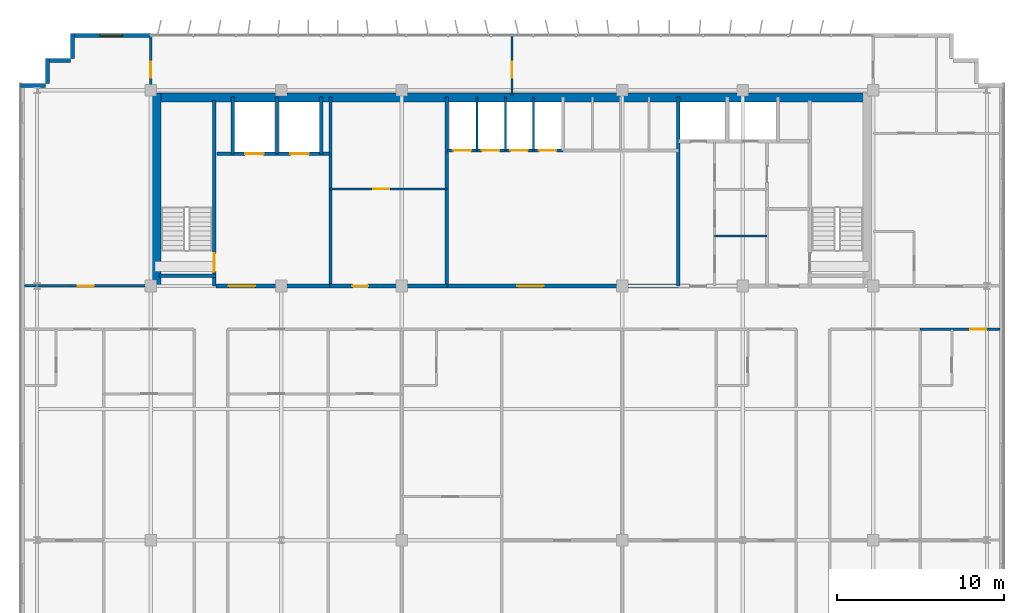
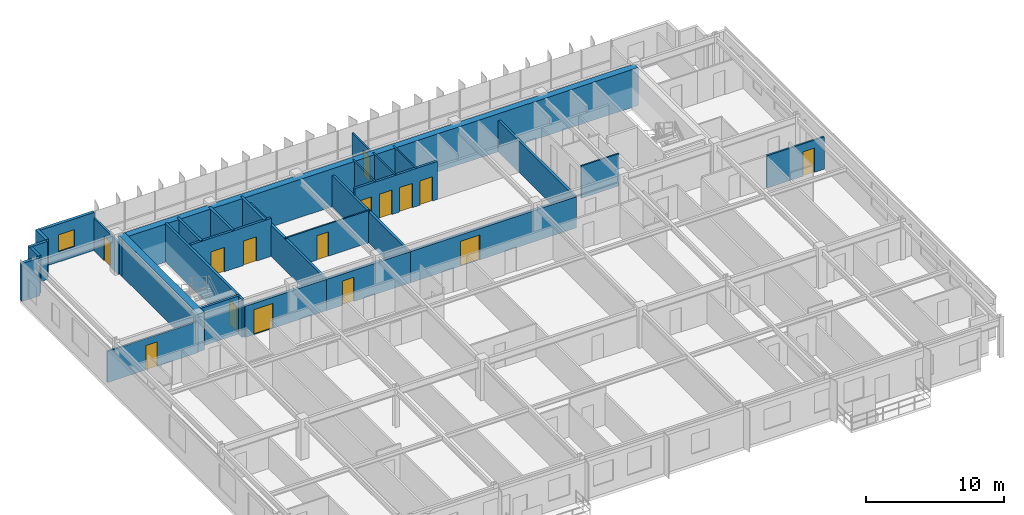
# One storey, part 17 of 21: 29 walls, 15 doors, 1 window, 16 openings.
"""IFC4 building model written with IfcOpenShell, lengths in metres."""

from ifc_helpers import new_model, si_unit, direction, frame, frame_2d, origin, place, context, subcontext, project, spatial, rectangle, extrude, source, transform, mapped, material, layer, layer_set, type_object, element, fill, save


model = new_model("IFC4")

# Units and contexts
model_context = context("Model", 3, precision=1e-05, world=origin(), true_north=direction((0.0, 1.0)))
body_context = subcontext(model_context, "Body", "Model", "MODEL_VIEW")
ifc_project = project(units=[si_unit("LENGTHUNIT", "METRE"), si_unit("AREAUNIT", "SQUARE_METRE"), si_unit("VOLUMEUNIT", "CUBIC_METRE"), si_unit("PLANEANGLEUNIT", "RADIAN"), si_unit("MASSUNIT", "GRAM", prefix="KILO")], contexts=[model_context])

# Site, building, storey
site_placement = place(None, origin())
site = spatial("IfcSite", under=ifc_project, at=site_placement, CompositionType="ELEMENT")
building_placement = place(site_placement, origin())
building = spatial("IfcBuilding", under=site, at=building_placement, Name="Trelvane Seafront Commons", CompositionType="ELEMENT")
storey_placement = place(building_placement, frame((0.0, 0.0, 157.300048828125)))
storey = spatial("IfcBuildingStorey", under=building, at=storey_placement, Name="L41", CompositionType="ELEMENT", Elevation=157.300048828125)

# Wall, opening, window
ifc_material_1 = material(Name="Precast concrete C40/50", Category="concrete")
ifc_layer_1 = layer(ifc_material_1, 0.239990234375, Name="ARCH-WALL-EXT240")
ifc_layer_set_1 = layer_set([ifc_layer_1], Name="Precast concrete C40/50")
wall_type_1 = type_object("IfcWallType", Name="ARCH-WALL-EXT240", PredefinedType="SOLIDWALL", material=ifc_layer_set_1)
wall_1_placement = place(storey_placement, frame((10.89990234375, 48.3701171875, 0.0), z_axis=(0.0, 0.0, 1.0), x_axis=(1.0, 0.0, 0.0)))
wall_1 = element("IfcWall", 1, at=wall_1_placement, inside=storey, type_object=wall_type_1, Name="EW-L41-NW-0800", PredefinedType="SOLIDWALL", context=body_context, shape_type="SweptSolid", body=[
    extrude(rectangle(XDim=4.7001953125, YDim=0.239990234375, at=frame_2d((2.35009765625, 0.0))), origin(), (0.0, 0.0, 1.0), 3.349853515625),
])
opening_1_placement = place(wall_1_placement, frame((1.675048828125, 0.0, 0.89990234375)))
opening_1 = element("IfcOpeningElement", 2, at=opening_1_placement, cuts=wall_1, Name="Opening W09", PredefinedType="OPENING", context=body_context, shape_type="SweptSolid", body=[
    extrude(rectangle(XDim=1.35009765625, YDim=1.5, at=frame_2d((0.675048828125, 0.75))), frame((0.0, 0.1298828125, 0.0), z_axis=(0.0, -1.0, 0.0), x_axis=(1.0, 0.0, 0.0)), (0.0, 0.0, 1.0), 0.260009765625),
])
ifc_material_2 = material(Name="Low-E coastal double glazing", Category="glass")
window_type = type_object("IfcWindowType", Name="ARCH-WIN-W09", PartitioningType="SINGLE_PANEL", PredefinedType="WINDOW", material=ifc_material_2)
shared_shape_1 = source(origin(), body_context, "Body", "SweptSolid", [
    extrude(rectangle(XDim=1.35009765625, YDim=1.5, at=frame_2d((0.675048828125, 0.75))), frame((0.0, 0.030029296875, 0.0), z_axis=(0.0, -1.0, 0.0), x_axis=(1.0, 0.0, 0.0)), (0.0, 0.0, 1.0), 0.06005859375),
])
window_placement = place(opening_1_placement, origin())
window = element("IfcWindow", 3, at=window_placement, inside=storey, type_object=window_type, Name="WIN-L41-00954", OverallHeight=1.5, OverallWidth=1.35009765625, PartitioningType="SINGLE_PANEL", PredefinedType="WINDOW", context=body_context, shape_type="MappedRepresentation", body=[
    mapped(shared_shape_1, transform((0.0, 0.0, 0.0), x_axis=(1.0, 0.0, 0.0), y_axis=(0.0, 1.0, 0.0), z_axis=(0.0, 0.0, 1.0), scale=1.0)),
])
fill(opening_1, window)

# Walls
for number, where, z_axis, x_axis, name in (
    (4, (7.800048828125, 45.3798828125, 0.0), (0.0, 0.0, 1.0), (1.0, 0.0, 0.0), "EW-L41-00806"),
    (5, (9.419921875, 45.5, 0.0), (0.0, 0.0, 1.0), (0.0, 1.0, 0.0), "EW-L41-00807"),
    (6, (9.300048828125, 46.8798828125, 0.0), (0.0, 0.0, 1.0), (1.0, 0.0, 0.0), "EW-L41-00808"),
    (7, (10.919921875, 47.0, 0.0), (0.0, 0.0, 1.0), (0.0, 1.0, 0.0), "EW-L41-00809"),
):
    element("IfcWall", number, at=place(storey_placement, frame(where, z_axis=z_axis, x_axis=x_axis)), inside=storey, type_object=wall_type_1, Name=name, PredefinedType="SOLIDWALL", context=body_context, shape_type="SweptSolid", body=[
        extrude(rectangle(XDim=1.5, YDim=0.239990234375, at=frame_2d((0.75, 0.0))), origin(), (0.0, 0.0, 1.0), 3.349853515625),
    ])

# Wall, opening, door
ifc_material_3 = material(Name="Concrete C40/50", Category="concrete")
ifc_layer_2 = layer(ifc_material_3, 0.25, Name="ARCH-WALL-FIRE250")
ifc_layer_set_2 = layer_set([ifc_layer_2], Name="Concrete C40/50")
wall_type_2 = type_object("IfcWallType", Name="ARCH-WALL-FIRE250", PredefinedType="PARTITIONING", material=ifc_layer_set_2)
wall_2_placement = place(storey_placement, frame((19.5, 33.39990234375, 0.0), z_axis=(0.0, 0.0, 1.0), x_axis=(1.0, 0.0, 0.0)))
wall_2 = element("IfcWall", 8, at=wall_2_placement, inside=storey, type_object=wall_type_2, Name="W-L41-CS-FFL-013", PredefinedType="PARTITIONING", context=body_context, shape_type="SweptSolid", body=[
    extrude(rectangle(XDim=6.800048828125, YDim=0.25, at=frame_2d((3.39990234375, 0.0))), origin(), (0.0, 0.0, 1.0), 2.75),
])
opening_2_placement = place(wall_2_placement, frame((0.75, 0.0, 0.0)))
opening_2 = element("IfcOpeningElement", 9, at=opening_2_placement, cuts=wall_2, Name="Opening FD-L41-05", PredefinedType="OPENING", context=body_context, shape_type="SweptSolid", body=[
    extrude(rectangle(XDim=1.60009765625, YDim=2.199951171875, at=frame_2d((0.800048828125, 1.10009765625))), frame((0.0, 0.135009765625, 0.0), z_axis=(0.0, -1.0, 0.0), x_axis=(1.0, 0.0, 0.0)), (0.0, 0.0, 1.0), 0.27001953125),
])
ifc_material_4 = material(Name="Powder-coated aluminium frame", Category="aluminium")
door_type_1 = type_object("IfcDoorType", Name="ARCH-DR-FD60-1600", OperationType="DOUBLE_DOOR_SINGLE_SWING", PredefinedType="DOOR", material=ifc_material_4)
shared_shape_2 = source(origin(), body_context, "Body", "SweptSolid", [
    extrude(rectangle(XDim=1.60009765625, YDim=2.199951171875, at=frame_2d((0.800048828125, 1.10009765625))), frame((0.0, 0.02490234375, 0.0), z_axis=(0.0, -1.0, 0.0), x_axis=(1.0, 0.0, 0.0)), (0.0, 0.0, 1.0), 0.050048828125),
])
door_1_placement = place(opening_2_placement, origin())
door_1 = element("IfcDoor", 10, at=door_1_placement, inside=storey, type_object=door_type_1, Name="L41 Firefighting Lift Lobby Double Fire Door", OperationType="DOUBLE_DOOR_SINGLE_SWING", OverallHeight=2.199951171875, OverallWidth=1.60009765625, PredefinedType="DOOR", context=body_context, shape_type="MappedRepresentation", body=[
    mapped(shared_shape_2, transform((0.0, 0.0, 0.0), x_axis=(1.0, 0.0, 0.0), y_axis=(0.0, 1.0, 0.0), z_axis=(0.0, 0.0, 1.0), scale=1.0)),
])
fill(opening_2, door_1)

wall_3_placement = place(storey_placement, frame((26.300048828125, 33.39990234375, 0.0), z_axis=(0.0, 0.0, 1.0), x_axis=(1.0, 0.0, 0.0)))
wall_3 = element("IfcWall", 11, at=wall_3_placement, inside=storey, type_object=wall_type_2, Name="W-L41-CS-FPL-026", PredefinedType="PARTITIONING", context=body_context, shape_type="SweptSolid", body=[
    extrude(rectangle(XDim=7.0, YDim=0.25, at=frame_2d((3.5, 0.0))), origin(), (0.0, 0.0, 1.0), 2.75),
])
opening_3_placement = place(wall_3_placement, frame((1.35009765625, 0.0, 0.0)))
opening_3 = element("IfcOpeningElement", 12, at=opening_3_placement, cuts=wall_3, Name="Opening D-L41-11", PredefinedType="OPENING", context=body_context, shape_type="SweptSolid", body=[
    extrude(rectangle(XDim=0.949951171875, YDim=2.14990234375, at=frame_2d((0.47509765625, 1.074951171875))), frame((0.0, 0.135009765625, 0.0), z_axis=(0.0, -1.0, 0.0), x_axis=(1.0, 0.0, 0.0)), (0.0, 0.0, 1.0), 0.27001953125),
])
ifc_material_5 = material(Name="Acoustic timber door leaf", Category="wood")
door_type_2 = type_object("IfcDoorType", Name="ARCH-DR-INT950", OperationType="NOTDEFINED", PredefinedType="DOOR", material=ifc_material_5)
shared_shape_3 = source(origin(), body_context, "Body", "SweptSolid", [
    extrude(rectangle(XDim=0.949951171875, YDim=2.14990234375, at=frame_2d((0.47509765625, 1.074951171875))), frame((0.0, 0.02490234375, 0.0), z_axis=(0.0, -1.0, 0.0), x_axis=(1.0, 0.0, 0.0)), (0.0, 0.0, 1.0), 0.050048828125),
])
door_2_placement = place(opening_3_placement, origin())
door_2 = element("IfcDoor", 13, at=door_2_placement, inside=storey, type_object=door_type_2, Name="L41 Floor Pantry Entrance Door", OperationType="SINGLE_SWING_LEFT", OverallHeight=2.14990234375, OverallWidth=0.949951171875, PredefinedType="DOOR", context=body_context, shape_type="MappedRepresentation", body=[
    mapped(shared_shape_3, transform((0.0, 0.0, 0.0), x_axis=(1.0, 0.0, 0.0), y_axis=(0.0, 1.0, 0.0), z_axis=(0.0, 0.0, 1.0), scale=1.0)),
])
fill(opening_3, door_2)

wall_4_placement = place(storey_placement, frame((33.300048828125, 33.39990234375, 0.0), z_axis=(0.0, 0.0, 1.0), x_axis=(1.0, 0.0, 0.0)))
wall_4 = element("IfcWall", 14, at=wall_4_placement, inside=storey, type_object=wall_type_2, Name="W-L41-CS-PAX-027", PredefinedType="PARTITIONING", context=body_context, shape_type="SweptSolid", body=[
    extrude(rectangle(XDim=13.849853515625, YDim=0.25, at=frame_2d((6.9248046875, 0.0))), origin(), (0.0, 0.0, 1.0), 2.75),
])
opening_4_placement = place(wall_4_placement, frame((4.199951171875, 0.0, 0.0)))
opening_4 = element("IfcOpeningElement", 15, at=opening_4_placement, cuts=wall_4, Name="Opening FD-L41-12", PredefinedType="OPENING", context=body_context, shape_type="SweptSolid", body=[
    extrude(rectangle(XDim=1.60009765625, YDim=2.199951171875, at=frame_2d((0.800048828125, 1.10009765625))), frame((0.0, 0.135009765625, 0.0), z_axis=(0.0, -1.0, 0.0), x_axis=(1.0, 0.0, 0.0)), (0.0, 0.0, 1.0), 0.27001953125),
])
door_3_placement = place(opening_4_placement, origin())
door_3 = element("IfcDoor", 16, at=door_3_placement, inside=storey, type_object=door_type_1, Name="L41 Passenger Lift Lobby Double Door", OperationType="DOUBLE_DOOR_SINGLE_SWING", OverallHeight=2.199951171875, OverallWidth=1.60009765625, PredefinedType="DOOR", context=body_context, shape_type="MappedRepresentation", body=[
    mapped(shared_shape_2, transform((0.0, 0.0, 0.0), x_axis=(1.0, 0.0, 0.0), y_axis=(0.0, 1.0, 0.0), z_axis=(0.0, 0.0, 1.0), scale=1.0)),
])
fill(opening_4, door_3)

ifc_material_6 = material(Name="Gypsum Drywall Acoustic Partition")
ifc_layer_3 = layer(ifc_material_6, 0.1201171875, Name="ARCH-WALL-PART120")
ifc_layer_set_3 = layer_set([ifc_layer_3], Name="Gypsum Drywall Acoustic Partition")
wall_type_3 = type_object("IfcWallType", Name="ARCH-WALL-PART120", PredefinedType="PARTITIONING", material=ifc_layer_set_3)
wall_5_placement = place(storey_placement, frame((26.300048828125, 39.199951171875, 0.0), z_axis=(0.0, 0.0, 1.0), x_axis=(1.0, 0.0, 0.0)))
wall_5 = element("IfcWall", 17, at=wall_5_placement, inside=storey, type_object=wall_type_3, Name="W-L41-FREED-PL-MID-014", PredefinedType="PARTITIONING", context=body_context, shape_type="SweptSolid", body=[
    extrude(rectangle(XDim=7.0, YDim=0.1201171875, at=frame_2d((3.5, 0.0))), origin(), (0.0, 0.0, 1.0), 2.849853515625),
])
opening_5_placement = place(wall_5_placement, frame((2.60009765625, 0.0, 0.0)))
opening_5 = element("IfcOpeningElement", 18, at=opening_5_placement, cuts=wall_5, Name="Opening D-L41-06", PredefinedType="OPENING", context=body_context, shape_type="SweptSolid", body=[
    extrude(rectangle(XDim=0.949951171875, YDim=2.14990234375, at=frame_2d((0.47509765625, 1.074951171875))), frame((0.0, 0.070068359375, 0.0), z_axis=(0.0, -1.0, 0.0), x_axis=(1.0, 0.0, 0.0)), (0.0, 0.0, 1.0), 0.14013671875),
])
door_4_placement = place(opening_5_placement, origin())
door_4 = element("IfcDoor", 19, at=door_4_placement, inside=storey, type_object=door_type_2, Name="L41 Housekeeping Store Door", OperationType="SINGLE_SWING_RIGHT", OverallHeight=2.14990234375, OverallWidth=0.949951171875, PredefinedType="DOOR", context=body_context, shape_type="MappedRepresentation", body=[
    mapped(shared_shape_3, transform((0.0, 0.0, 0.0), x_axis=(1.0, 0.0, 0.0), y_axis=(0.0, 1.0, 0.0), z_axis=(0.0, 0.0, 1.0), scale=1.0)),
])
fill(opening_5, door_4)

# Walls
for number, where, z_axis, x_axis, name in (
    (20, (35.10009765625, 41.5, 0.0), (0.0, 0.0, 1.0), (0.0, 1.0, 0.0), "W-L41-PM-DIV1-017"),
    (21, (36.800048828125, 41.5, 0.0), (0.0, 0.0, 1.0), (0.0, 1.0, 0.0), "W-L41-PM-DIV2-018"),
    (22, (38.5, 41.5, 0.0), (0.0, 0.0, 1.0), (0.0, 1.0, 0.0), "W-L41-PM-DIV3-019"),
):
    element("IfcWall", number, at=place(storey_placement, frame(where, z_axis=z_axis, x_axis=x_axis)), inside=storey, type_object=wall_type_3, Name=name, PredefinedType="PARTITIONING", context=body_context, shape_type="SweptSolid", body=[
        extrude(rectangle(XDim=3.199951171875, YDim=0.1201171875, at=frame_2d((1.60009765625, 0.0))), origin(), (0.0, 0.0, 1.0), 3.349853515625),
    ])
wall_6_placement = place(storey_placement, frame((49.320068359375, 36.3798828125, 0.0), z_axis=(0.0, 0.0, 1.0), x_axis=(1.0, 0.0, 0.0)))
element("IfcWall", 23, at=wall_6_placement, inside=storey, type_object=wall_type_3, Name="W-L41-CYC3-H1-034", PredefinedType="PARTITIONING", context=body_context, shape_type="SweptSolid", body=[
    extrude(rectangle(XDim=3.1298828125, YDim=0.1201171875, at=frame_2d((1.56494140625, 0.0))), origin(), (0.0, 0.0, 1.0), 2.849853515625),
])

# Wall, opening, door
wall_7_placement = place(storey_placement, frame((37.199951171875, 44.75, 0.0), z_axis=(0.0, 0.0, 1.0), x_axis=(0.0, 1.0, 0.0)))
wall_7 = element("IfcWall", 24, at=wall_7_placement, inside=storey, type_object=wall_type_3, Name="W-L41-N-MID-DV-044", PredefinedType="PARTITIONING", context=body_context, shape_type="SweptSolid", body=[
    extrude(rectangle(XDim=3.610107421875, YDim=0.1201171875, at=frame_2d((1.80517578125, 0.0))), origin(), (0.0, 0.0, 1.0), 2.75),
])
opening_6_placement = place(wall_7_placement, frame((1.10009765625, 0.0, 0.0)))
opening_6 = element("IfcOpeningElement", 25, at=opening_6_placement, cuts=wall_7, Name="Opening D-L41-26", PredefinedType="OPENING", context=body_context, shape_type="SweptSolid", body=[
    extrude(rectangle(XDim=0.949951171875, YDim=2.14990234375, at=frame_2d((0.47509765625, 1.074951171875))), frame((0.0, 0.070068359375, 0.0), z_axis=(0.0, -1.0, 0.0), x_axis=(1.0, 0.0, 0.0)), (0.0, 0.0, 1.0), 0.14013671875),
])
door_5_placement = place(opening_6_placement, origin())
door_5 = element("IfcDoor", 26, at=door_5_placement, inside=storey, type_object=door_type_2, Name="L41 Door 26", OperationType="SINGLE_SWING_RIGHT", OverallHeight=2.14990234375, OverallWidth=0.949951171875, PredefinedType="DOOR", context=body_context, shape_type="MappedRepresentation", body=[
    mapped(shared_shape_3, transform((0.0, 0.0, 0.0), x_axis=(1.0, 0.0, 0.0), y_axis=(0.0, 1.0, 0.0), z_axis=(0.0, 0.0, 1.0), scale=1.0)),
])
fill(opening_6, door_5)

ifc_layer_4 = layer(ifc_material_6, 0.14990234375, Name="ARCH-WALL-PART150")
ifc_layer_set_4 = layer_set([ifc_layer_4], Name="Gypsum Drywall Acoustic Partition")
wall_type_4 = type_object("IfcWallType", Name="ARCH-WALL-PART150", PredefinedType="PARTITIONING", material=ifc_layer_set_4)
wall_8_placement = place(storey_placement, frame((8.050048828125, 33.39990234375, 0.0), z_axis=(0.0, 0.0, 1.0), x_axis=(1.0, 0.0, 0.0)))
wall_8 = element("IfcWall", 27, at=wall_8_placement, inside=storey, type_object=wall_type_4, Name="W-L41-NW-ENT-037", PredefinedType="PARTITIONING", context=body_context, shape_type="SweptSolid", body=[
    extrude(rectangle(XDim=7.550048828125, YDim=0.14990234375, at=frame_2d((3.77490234375, 0.0))), origin(), (0.0, 0.0, 1.0), 2.75),
])
opening_7_placement = place(wall_8_placement, frame((3.199951171875, 0.0, 0.0)))
opening_7 = element("IfcOpeningElement", 28, at=opening_7_placement, cuts=wall_8, Name="Opening FD-L41-21", PredefinedType="OPENING", context=body_context, shape_type="SweptSolid", body=[
    extrude(rectangle(XDim=0.949951171875, YDim=2.14990234375, at=frame_2d((0.47509765625, 1.074951171875))), frame((0.0, 0.0849609375, 0.0), z_axis=(0.0, -1.0, 0.0), x_axis=(1.0, 0.0, 0.0)), (0.0, 0.0, 1.0), 0.169921875),
])
door_type_3 = type_object("IfcDoorType", Name="ARCH-DR-FD60-950", OperationType="NOTDEFINED", PredefinedType="DOOR", material=ifc_material_4)
door_6_placement = place(opening_7_placement, origin())
door_6 = element("IfcDoor", 29, at=door_6_placement, inside=storey, type_object=door_type_3, Name="L41 NW Suite Entrance Door", OperationType="SINGLE_SWING_LEFT", OverallHeight=2.14990234375, OverallWidth=0.949951171875, PredefinedType="DOOR", context=body_context, shape_type="MappedRepresentation", body=[
    mapped(shared_shape_3, transform((0.0, 0.0, 0.0), x_axis=(1.0, 0.0, 0.0), y_axis=(0.0, 1.0, 0.0), z_axis=(0.0, 0.0, 1.0), scale=1.0)),
])
fill(opening_7, door_6)

wall_9_placement = place(storey_placement, frame((15.60009765625, 44.75, 0.0), z_axis=(0.0, 0.0, 1.0), x_axis=(0.0, 1.0, 0.0)))
wall_9 = element("IfcWall", 30, at=wall_9_placement, inside=storey, type_object=wall_type_4, Name="W-L41-N-LINK-W-045", PredefinedType="PARTITIONING", context=body_context, shape_type="SweptSolid", body=[
    extrude(rectangle(XDim=3.610107421875, YDim=0.14990234375, at=frame_2d((1.80517578125, 0.0))), origin(), (0.0, 0.0, 1.0), 2.849853515625),
])
opening_8_placement = place(wall_9_placement, frame((1.10009765625, 0.0, 0.0)))
opening_8 = element("IfcOpeningElement", 31, at=opening_8_placement, cuts=wall_9, Name="Opening FD-L41-27", PredefinedType="OPENING", context=body_context, shape_type="SweptSolid", body=[
    extrude(rectangle(XDim=0.949951171875, YDim=2.14990234375, at=frame_2d((0.47509765625, 1.074951171875))), frame((0.0, 0.0849609375, 0.0), z_axis=(0.0, -1.0, 0.0), x_axis=(1.0, 0.0, 0.0)), (0.0, 0.0, 1.0), 0.169921875),
])
door_7_placement = place(opening_8_placement, origin())
door_7 = element("IfcDoor", 32, at=door_7_placement, inside=storey, type_object=door_type_3, Name="L41 Door 27", OperationType="SINGLE_SWING_LEFT", OverallHeight=2.14990234375, OverallWidth=0.949951171875, PredefinedType="DOOR", context=body_context, shape_type="MappedRepresentation", body=[
    mapped(shared_shape_3, transform((0.0, 0.0, 0.0), x_axis=(1.0, 0.0, 0.0), y_axis=(0.0, 1.0, 0.0), z_axis=(0.0, 0.0, 1.0), scale=1.0)),
])
fill(opening_8, door_7)

wall_10_placement = place(storey_placement, frame((61.60009765625, 30.800048828125, 0.0), z_axis=(0.0, 0.0, 1.0), x_axis=(1.0, 0.0, 0.0)))
wall_10 = element("IfcWall", 33, at=wall_10_placement, inside=storey, type_object=wall_type_4, Name="W-L41-CS-BAY-12-094", PredefinedType="PARTITIONING", context=body_context, shape_type="SweptSolid", body=[
    extrude(rectangle(XDim=4.77490234375, YDim=0.14990234375, at=frame_2d((2.387451171875, 0.0))), origin(), (0.0, 0.0, 1.0), 2.849853515625),
])
opening_9_placement = place(wall_10_placement, frame((2.993896484375, 0.0, 0.0)))
opening_9 = element("IfcOpeningElement", 34, at=opening_9_placement, cuts=wall_10, Name="Opening FD-L41-59", PredefinedType="OPENING", context=body_context, shape_type="SweptSolid", body=[
    extrude(rectangle(XDim=0.949951171875, YDim=2.14990234375, at=frame_2d((0.47509765625, 1.074951171875))), frame((0.0, 0.0849609375, 0.0), z_axis=(0.0, -1.0, 0.0), x_axis=(1.0, 0.0, 0.0)), (0.0, 0.0, 1.0), 0.169921875),
])
door_8_placement = place(opening_9_placement, origin())
door_8 = element("IfcDoor", 35, at=door_8_placement, inside=storey, type_object=door_type_3, Name="L41 Unit 12 Entrance Door", OperationType="SINGLE_SWING_LEFT", OverallHeight=2.14990234375, OverallWidth=0.949951171875, PredefinedType="DOOR", context=body_context, shape_type="MappedRepresentation", body=[
    mapped(shared_shape_3, transform((0.0, 0.0, 0.0), x_axis=(1.0, 0.0, 0.0), y_axis=(0.0, 1.0, 0.0), z_axis=(0.0, 0.0, 1.0), scale=1.0)),
])
fill(opening_9, door_8)

# Wall, openings, doors
ifc_layer_5 = layer(ifc_material_3, 0.199951171875, Name="ARCH-WALL-SHAFT200")
ifc_layer_set_5 = layer_set([ifc_layer_5], Name="Concrete C40/50")
wall_type_5 = type_object("IfcWallType", Name="ARCH-WALL-SHAFT200", PredefinedType="SOLIDWALL", material=ifc_layer_set_5)
wall_11_placement = place(storey_placement, frame((19.550048828125, 41.300048828125, 0.0), z_axis=(0.0, 0.0, 1.0), x_axis=(1.0, 0.0, 0.0)))
wall_11 = element("IfcWall", 36, at=wall_11_placement, inside=storey, type_object=wall_type_5, Name="W-L41-FFL-FRONT-008", PredefinedType="SOLIDWALL", context=body_context, shape_type="SweptSolid", body=[
    extrude(rectangle(XDim=6.75, YDim=0.199951171875, at=frame_2d((3.375, 0.0))), origin(), (0.0, 0.0, 1.0), 3.349853515625),
])
opening_10_placement = place(wall_11_placement, frame((1.699951171875, 0.0, 0.0)))
opening_10 = element("IfcOpeningElement", 37, at=opening_10_placement, cuts=wall_11, Name="Opening LD-FF1-L41", PredefinedType="OPENING", context=body_context, shape_type="SweptSolid", body=[
    extrude(rectangle(XDim=1.10009765625, YDim=2.14990234375, at=frame_2d((0.550048828125, 1.074951171875))), frame((0.0, 0.10986328125, 0.0), z_axis=(0.0, -1.0, 0.0), x_axis=(1.0, 0.0, 0.0)), (0.0, 0.0, 1.0), 0.219970703125),
])
opening_11_placement = place(wall_11_placement, frame((4.39990234375, 0.0, 0.0)))
opening_11 = element("IfcOpeningElement", 38, at=opening_11_placement, cuts=wall_11, Name="Opening LD-FF2-L41", PredefinedType="OPENING", context=body_context, shape_type="SweptSolid", body=[
    extrude(rectangle(XDim=1.10009765625, YDim=2.14990234375, at=frame_2d((0.550048828125, 1.074951171875))), frame((0.0, 0.10986328125, 0.0), z_axis=(0.0, -1.0, 0.0), x_axis=(1.0, 0.0, 0.0)), (0.0, 0.0, 1.0), 0.219970703125),
])
ifc_material_7 = material(Name="Stainless steel balustrade", Category="steel")
door_type_4 = type_object("IfcDoorType", Name="ARCH-DR-LD1100", OperationType="DOUBLE_DOOR_SLIDING", PredefinedType="DOOR", material=ifc_material_7)
shared_shape_4 = source(origin(), body_context, "Body", "SweptSolid", [
    extrude(rectangle(XDim=1.10009765625, YDim=2.14990234375, at=frame_2d((0.550048828125, 1.074951171875))), frame((0.0, 0.02490234375, 0.0), z_axis=(0.0, -1.0, 0.0), x_axis=(1.0, 0.0, 0.0)), (0.0, 0.0, 1.0), 0.050048828125),
])
door_9_placement = place(opening_10_placement, origin())
door_9 = element("IfcDoor", 39, at=door_9_placement, inside=storey, type_object=door_type_4, Name="L41 Firefighting Lift FFL-1 Landing Door", OperationType="DOUBLE_DOOR_SLIDING", OverallHeight=2.14990234375, OverallWidth=1.10009765625, PredefinedType="DOOR", context=body_context, shape_type="MappedRepresentation", body=[
    mapped(shared_shape_4, transform((0.0, 0.0, 0.0), x_axis=(1.0, 0.0, 0.0), y_axis=(0.0, 1.0, 0.0), z_axis=(0.0, 0.0, 1.0), scale=1.0)),
])
fill(opening_10, door_9)
door_10_placement = place(opening_11_placement, origin())
door_10 = element("IfcDoor", 40, at=door_10_placement, inside=storey, type_object=door_type_4, Name="L41 Firefighting Lift FFL-2 Landing Door", OperationType="DOUBLE_DOOR_SLIDING", OverallHeight=2.14990234375, OverallWidth=1.10009765625, PredefinedType="DOOR", context=body_context, shape_type="MappedRepresentation", body=[
    mapped(shared_shape_4, transform((0.0, 0.0, 0.0), x_axis=(1.0, 0.0, 0.0), y_axis=(0.0, 1.0, 0.0), z_axis=(0.0, 0.0, 1.0), scale=1.0)),
])
fill(opening_11, door_10)

# Walls
for number, where, z_axis, x_axis, name in (
    (41, (20.5, 41.300048828125, 0.0), (0.0, 0.0, 1.0), (0.0, 1.0, 0.0), "W-L41-FFL-SH-W-009"),
    (42, (23.14990234375, 41.300048828125, 0.0), (0.0, 0.0, 1.0), (0.0, 1.0, 0.0), "W-L41-FFL-DIV-010"),
    (43, (25.800048828125, 41.300048828125, 0.0), (0.0, 0.0, 1.0), (0.0, 1.0, 0.0), "W-L41-FFL-SH-E-011"),
):
    element("IfcWall", number, at=place(storey_placement, frame(where, z_axis=z_axis, x_axis=x_axis)), inside=storey, type_object=wall_type_5, Name=name, PredefinedType="SOLIDWALL", context=body_context, shape_type="SweptSolid", body=[
        extrude(rectangle(XDim=3.39990234375, YDim=0.199951171875, at=frame_2d((1.699951171875, 0.0))), origin(), (0.0, 0.0, 1.0), 3.349853515625),
    ])
for number, where, z_axis, x_axis, name in (
    (44, (26.35009765625, 33.39990234375, 0.0), (0.0, 0.0, 1.0), (0.0, 1.0, 0.0), "W-L41-FFL-EAST-012"),
    (45, (33.300048828125, 33.39990234375, 0.0), (0.0, 0.0, 1.0), (0.0, 1.0, 0.0), "W-L41-FREED-PL-E-015"),
):
    element("IfcWall", number, at=place(storey_placement, frame(where, z_axis=z_axis, x_axis=x_axis)), inside=storey, type_object=wall_type_5, Name=name, PredefinedType="SOLIDWALL", context=body_context, shape_type="SweptSolid", body=[
        extrude(rectangle(XDim=11.300048828125, YDim=0.199951171875, at=frame_2d((5.64990234375, 0.0))), origin(), (0.0, 0.0, 1.0), 2.75),
    ])

# Wall, openings, doors
wall_12_placement = place(storey_placement, frame((33.35009765625, 41.5, 0.0), z_axis=(0.0, 0.0, 1.0), x_axis=(1.0, 0.0, 0.0)))
wall_12 = element("IfcWall", 46, at=wall_12_placement, inside=storey, type_object=wall_type_5, Name="W-L41-PM-FRONT-016", PredefinedType="SOLIDWALL", context=body_context, shape_type="SweptSolid", body=[
    extrude(rectangle(XDim=6.89990234375, YDim=0.199951171875, at=frame_2d((3.449951171875, 0.0))), origin(), (0.0, 0.0, 1.0), 3.349853515625),
])
opening_12_placement = place(wall_12_placement, frame((0.35009765625, 0.0, 0.0)))
opening_12 = element("IfcOpeningElement", 47, at=opening_12_placement, cuts=wall_12, Name="Opening LD-PM1-L41", PredefinedType="OPENING", context=body_context, shape_type="SweptSolid", body=[
    extrude(rectangle(XDim=1.050048828125, YDim=2.14990234375, at=frame_2d((0.52490234375, 1.074951171875))), frame((0.0, 0.10986328125, 0.0), z_axis=(0.0, -1.0, 0.0), x_axis=(1.0, 0.0, 0.0)), (0.0, 0.0, 1.0), 0.219970703125),
])
opening_13_placement = place(wall_12_placement, frame((2.050048828125, 0.0, 0.0)))
opening_13 = element("IfcOpeningElement", 48, at=opening_13_placement, cuts=wall_12, Name="Opening LD-PM2-L41", PredefinedType="OPENING", context=body_context, shape_type="SweptSolid", body=[
    extrude(rectangle(XDim=1.050048828125, YDim=2.14990234375, at=frame_2d((0.52490234375, 1.074951171875))), frame((0.0, 0.10986328125, 0.0), z_axis=(0.0, -1.0, 0.0), x_axis=(1.0, 0.0, 0.0)), (0.0, 0.0, 1.0), 0.219970703125),
])
opening_14_placement = place(wall_12_placement, frame((3.75, 0.0, 0.0)))
opening_14 = element("IfcOpeningElement", 49, at=opening_14_placement, cuts=wall_12, Name="Opening LD-PM3-L41", PredefinedType="OPENING", context=body_context, shape_type="SweptSolid", body=[
    extrude(rectangle(XDim=1.050048828125, YDim=2.14990234375, at=frame_2d((0.52490234375, 1.074951171875))), frame((0.0, 0.10986328125, 0.0), z_axis=(0.0, -1.0, 0.0), x_axis=(1.0, 0.0, 0.0)), (0.0, 0.0, 1.0), 0.219970703125),
])
opening_15_placement = place(wall_12_placement, frame((5.449951171875, 0.0, 0.0)))
opening_15 = element("IfcOpeningElement", 50, at=opening_15_placement, cuts=wall_12, Name="Opening LD-PM4-L41", PredefinedType="OPENING", context=body_context, shape_type="SweptSolid", body=[
    extrude(rectangle(XDim=1.050048828125, YDim=2.14990234375, at=frame_2d((0.52490234375, 1.074951171875))), frame((0.0, 0.10986328125, 0.0), z_axis=(0.0, -1.0, 0.0), x_axis=(1.0, 0.0, 0.0)), (0.0, 0.0, 1.0), 0.219970703125),
])
door_type_5 = type_object("IfcDoorType", Name="ARCH-DR-LD1050", OperationType="DOUBLE_DOOR_SLIDING", PredefinedType="DOOR", material=ifc_material_7)
shared_shape_5 = source(origin(), body_context, "Body", "SweptSolid", [
    extrude(rectangle(XDim=1.050048828125, YDim=2.14990234375, at=frame_2d((0.52490234375, 1.074951171875))), frame((0.0, 0.02490234375, 0.0), z_axis=(0.0, -1.0, 0.0), x_axis=(1.0, 0.0, 0.0)), (0.0, 0.0, 1.0), 0.050048828125),
])
door_11_placement = place(opening_12_placement, origin())
door_11 = element("IfcDoor", 51, at=door_11_placement, inside=storey, type_object=door_type_5, Name="L41 Passenger Lift PM-1 Landing Door", OperationType="DOUBLE_DOOR_SLIDING", OverallHeight=2.14990234375, OverallWidth=1.050048828125, PredefinedType="DOOR", context=body_context, shape_type="MappedRepresentation", body=[
    mapped(shared_shape_5, transform((0.0, 0.0, 0.0), x_axis=(1.0, 0.0, 0.0), y_axis=(0.0, 1.0, 0.0), z_axis=(0.0, 0.0, 1.0), scale=1.0)),
])
fill(opening_12, door_11)
door_12_placement = place(opening_13_placement, origin())
door_12 = element("IfcDoor", 52, at=door_12_placement, inside=storey, type_object=door_type_5, Name="L41 Passenger Lift PM-2 Landing Door", OperationType="DOUBLE_DOOR_SLIDING", OverallHeight=2.14990234375, OverallWidth=1.050048828125, PredefinedType="DOOR", context=body_context, shape_type="MappedRepresentation", body=[
    mapped(shared_shape_5, transform((0.0, 0.0, 0.0), x_axis=(1.0, 0.0, 0.0), y_axis=(0.0, 1.0, 0.0), z_axis=(0.0, 0.0, 1.0), scale=1.0)),
])
fill(opening_13, door_12)
door_13_placement = place(opening_14_placement, origin())
door_13 = element("IfcDoor", 53, at=door_13_placement, inside=storey, type_object=door_type_5, Name="L41 Passenger Lift PM-3 Landing Door", OperationType="DOUBLE_DOOR_SLIDING", OverallHeight=2.14990234375, OverallWidth=1.050048828125, PredefinedType="DOOR", context=body_context, shape_type="MappedRepresentation", body=[
    mapped(shared_shape_5, transform((0.0, 0.0, 0.0), x_axis=(1.0, 0.0, 0.0), y_axis=(0.0, 1.0, 0.0), z_axis=(0.0, 0.0, 1.0), scale=1.0)),
])
fill(opening_14, door_13)
door_14_placement = place(opening_15_placement, origin())
door_14 = element("IfcDoor", 54, at=door_14_placement, inside=storey, type_object=door_type_5, Name="L41 Passenger Lift PM-4 Landing Door", OperationType="DOUBLE_DOOR_SLIDING", OverallHeight=2.14990234375, OverallWidth=1.050048828125, PredefinedType="DOOR", context=body_context, shape_type="MappedRepresentation", body=[
    mapped(shared_shape_5, transform((0.0, 0.0, 0.0), x_axis=(1.0, 0.0, 0.0), y_axis=(0.0, 1.0, 0.0), z_axis=(0.0, 0.0, 1.0), scale=1.0)),
])
fill(opening_15, door_14)

# Walls
wall_13_placement = place(storey_placement, frame((47.14990234375, 33.39990234375, 0.0), z_axis=(0.0, 0.0, 1.0), x_axis=(0.0, 1.0, 0.0)))
element("IfcWall", 55, at=wall_13_placement, inside=storey, type_object=wall_type_5, Name="W-L41-PH-EAST-025", PredefinedType="SOLIDWALL", context=body_context, shape_type="SweptSolid", body=[
    extrude(rectangle(XDim=11.300048828125, YDim=0.199951171875, at=frame_2d((5.64990234375, 0.0))), origin(), (0.0, 0.0, 1.0), 2.75),
])
ifc_material_8 = material(Name="Concrete C50/60", Category="concrete")
ifc_layer_6 = layer(ifc_material_8, 0.550048828125, Name="STR-WALL-CORE550")
ifc_layer_set_6 = layer_set([ifc_layer_6], Name="Concrete C50/60")
wall_type_6 = type_object("IfcWallType", Name="STR-WALL-CORE550", PredefinedType="SHEAR", material=ifc_layer_set_6)
wall_14_placement = place(storey_placement, frame((15.64990234375, 44.675048828125, 0.0), z_axis=(0.0, 0.0, 1.0), x_axis=(1.0, 0.0, 0.0)))
element("IfcWall", 56, at=wall_14_placement, inside=storey, type_object=wall_type_6, Name="W-L41-CN-ALL-001", PredefinedType="SHEAR", context=body_context, shape_type="SweptSolid", body=[
    extrude(rectangle(XDim=43.10009765625, YDim=0.550048828125, at=frame_2d((21.550048828125, 0.0))), origin(), (0.0, 0.0, 1.0), 3.349853515625),
])
wall_15_placement = place(storey_placement, frame((15.925048828125, 33.39990234375, 0.0), z_axis=(0.0, 0.0, 1.0), x_axis=(0.0, 1.0, 0.0)))
element("IfcWall", 57, at=wall_15_placement, inside=storey, type_object=wall_type_6, Name="W-L41-CW-END-002", PredefinedType="SHEAR", context=body_context, shape_type="SweptSolid", body=[
    extrude(rectangle(XDim=11.550048828125, YDim=0.550048828125, at=frame_2d((5.77490234375, 0.0))), origin(), (0.0, 0.0, 1.0), 3.349853515625),
])
ifc_layer_7 = layer(ifc_material_8, 0.199951171875, Name="STR-WALL-STAIR200")
ifc_layer_set_7 = layer_set([ifc_layer_7], Name="Concrete C50/60")
wall_type_7 = type_object("IfcWallType", Name="STR-WALL-STAIR200", PredefinedType="SHEAR", material=ifc_layer_set_7)
wall_16_placement = place(storey_placement, frame((16.10009765625, 34.0, 0.0), z_axis=(0.0, 0.0, 1.0), x_axis=(1.0, 0.0, 0.0)))
element("IfcWall", 58, at=wall_16_placement, inside=storey, type_object=wall_type_7, Name="W-L41-ST1-S-004", PredefinedType="SHEAR", context=body_context, shape_type="SweptSolid", body=[
    extrude(rectangle(XDim=3.39990234375, YDim=0.199951171875, at=frame_2d((1.699951171875, 0.0))), origin(), (0.0, 0.0, 1.0), 3.349853515625),
])

# Wall, opening, door
wall_17_placement = place(storey_placement, frame((19.39990234375, 33.39990234375, 0.0), z_axis=(0.0, 0.0, 1.0), x_axis=(0.0, 1.0, 0.0)))
wall_17 = element("IfcWall", 59, at=wall_17_placement, inside=storey, type_object=wall_type_7, Name="W-L41-ST1-E-005", PredefinedType="SHEAR", context=body_context, shape_type="SweptSolid", body=[
    extrude(rectangle(XDim=11.10009765625, YDim=0.199951171875, at=frame_2d((5.550048828125, 0.0))), origin(), (0.0, 0.0, 1.0), 3.349853515625),
])
opening_16_placement = place(wall_17_placement, frame((0.85009765625, 0.0, 0.0)))
opening_16 = element("IfcOpeningElement", 60, at=opening_16_placement, cuts=wall_17, Name="Opening ST-D1-L41", PredefinedType="OPENING", context=body_context, shape_type="SweptSolid", body=[
    extrude(rectangle(XDim=1.10009765625, YDim=2.14990234375, at=frame_2d((0.550048828125, 1.074951171875))), frame((0.0, 0.10986328125, 0.0), z_axis=(0.0, -1.0, 0.0), x_axis=(1.0, 0.0, 0.0)), (0.0, 0.0, 1.0), 0.219970703125),
])
door_type_6 = type_object("IfcDoorType", Name="ARCH-DR-FD90-1100", OperationType="NOTDEFINED", PredefinedType="DOOR", material=ifc_material_4)
door_15_placement = place(opening_16_placement, origin())
door_15 = element("IfcDoor", 61, at=door_15_placement, inside=storey, type_object=door_type_6, Name="L41 Stair ST-1 Lobby Fire Door", OperationType="SINGLE_SWING_LEFT", OverallHeight=2.14990234375, OverallWidth=1.10009765625, PredefinedType="DOOR", context=body_context, shape_type="MappedRepresentation", body=[
    mapped(shared_shape_4, transform((0.0, 0.0, 0.0), x_axis=(1.0, 0.0, 0.0), y_axis=(0.0, 1.0, 0.0), z_axis=(0.0, 0.0, 1.0), scale=1.0)),
])
fill(opening_16, door_15)

save(model, "model.ifc")
